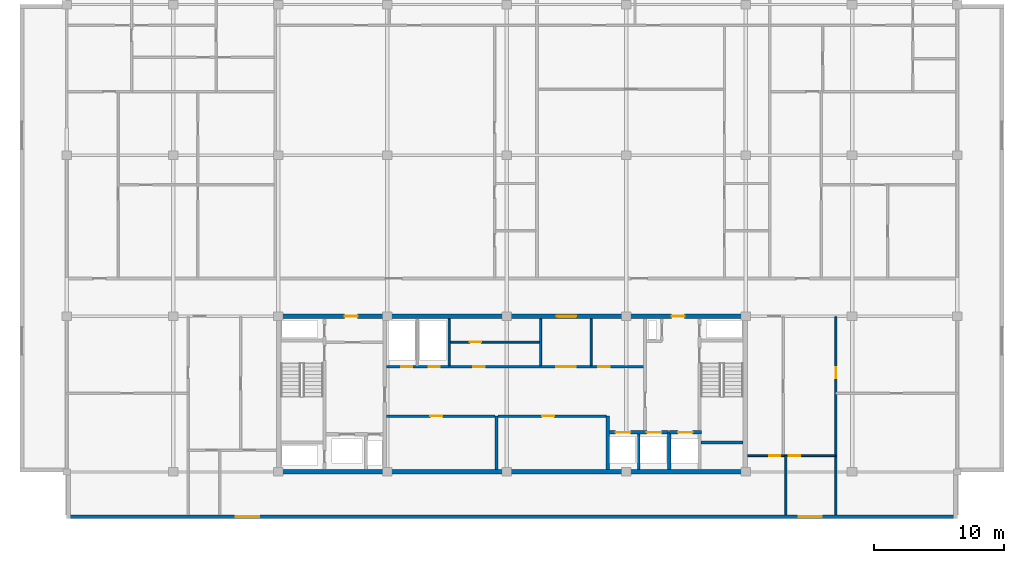
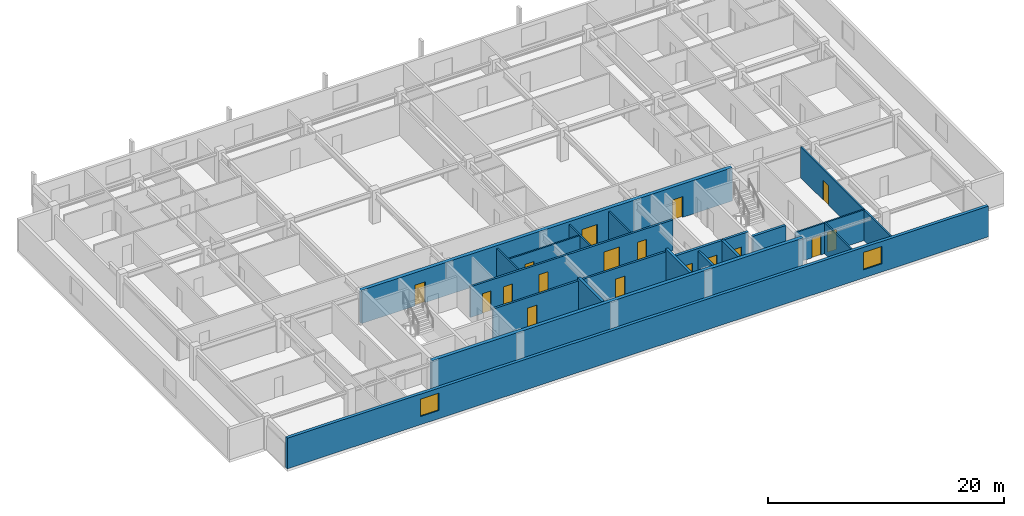
# One storey, part 4 of 10: 20 walls, 17 doors, 2 windows, 19 openings.
"""IFC4 building model written with IfcOpenShell, lengths in metres."""

from ifc_helpers import new_model, si_unit, direction, frame, frame_2d, origin, place, context, subcontext, project, spatial, rectangle, extrude, material, layer, layer_set, type_object, element, fill, save


model = new_model("IFC4")

# Units and contexts
model_context = context("Model", 3, precision=1e-05, world=origin(), true_north=direction((0.0, 1.0)))
body_context = subcontext(model_context, "Body", "Model", "MODEL_VIEW")
ifc_project = project(units=[si_unit("LENGTHUNIT", "METRE"), si_unit("AREAUNIT", "SQUARE_METRE"), si_unit("VOLUMEUNIT", "CUBIC_METRE"), si_unit("PLANEANGLEUNIT", "RADIAN"), si_unit("MASSUNIT", "GRAM", prefix="KILO")], contexts=[model_context])

# Site, building, storey
site_placement = place(None, origin())
site = spatial("IfcSite", under=ifc_project, at=site_placement, CompositionType="ELEMENT")
building_placement = place(site_placement, origin())
building = spatial("IfcBuilding", under=site, at=building_placement, Name="Korimba Cascade Residences", CompositionType="ELEMENT")
storey_placement = place(building_placement, frame((0.0, 0.0, 245.89990234375)))
storey = spatial("IfcBuildingStorey", under=building, at=storey_placement, Name="L71", CompositionType="ELEMENT", Elevation=245.89990234375)

# Wall, openings, windows
ifc_material_1 = material(Name="Precast concrete C40/50", Category="concrete")
ifc_layer_1 = layer(ifc_material_1, 0.300048828125)
ifc_layer_set_1 = layer_set([ifc_layer_1], Name="Precast concrete C40/50")
wall_type_1 = type_object("IfcWallType", Name="EW-STONE-300", PredefinedType="STANDARD", material=ifc_layer_set_1)
wall_1_placement = place(storey_placement, frame((59.800048828125, 51.75, 0.0), z_axis=(0.0, 0.0, 1.0), x_axis=(1.0, 0.0, 0.0)))
wall_1 = element("IfcWall", 1, at=wall_1_placement, inside=storey, type_object=wall_type_1, Name="L71 T1 Perimeter Stone Wall E00", PredefinedType="STANDARD", context=body_context, shape_type="SweptSolid", body=[
    extrude(rectangle(XDim=68.599853515625, YDim=0.300048828125, at=frame_2d((34.2998046875, 0.0))), origin(), (0.0, 0.0, 1.0), 3.170166015625),
])
opening_1_placement = place(wall_1_placement, frame((13.02490234375, 0.0, 0.85009765625)))
opening_1 = element("IfcOpeningElement", 2, at=opening_1_placement, cuts=wall_1, Name="Opening W-02", PredefinedType="OPENING", context=body_context, shape_type="SweptSolid", body=[
    extrude(rectangle(XDim=1.800048828125, YDim=1.800048828125, at=frame_2d((0.89990234375, 0.89990234375))), frame((0.0, 0.16015625, 0.0), z_axis=(0.0, -1.0, 0.0), x_axis=(1.0, 0.0, 0.0)), (0.0, 0.0, 1.0), 0.320068359375),
])
opening_2_placement = place(wall_1_placement, frame((56.375, 0.0, 0.85009765625)))
opening_2 = element("IfcOpeningElement", 3, at=opening_2_placement, cuts=wall_1, Name="Opening W-02", PredefinedType="OPENING", context=body_context, shape_type="SweptSolid", body=[
    extrude(rectangle(XDim=1.800048828125, YDim=1.800048828125, at=frame_2d((0.89990234375, 0.89990234375))), frame((0.0, 0.16015625, 0.0), z_axis=(0.0, -1.0, 0.0), x_axis=(1.0, 0.0, 0.0)), (0.0, 0.0, 1.0), 0.320068359375),
])
ifc_material_2 = material(Name="Double-Glazed Aluminium Window", Category="aluminium")
window_type = type_object("IfcWindowType", Name="WIN-BED-1800", PartitioningType="SINGLE_PANEL", PredefinedType="WINDOW", material=ifc_material_2)
window_1_placement = place(opening_1_placement, origin())
window_1 = element("IfcWindow", 4, at=window_1_placement, inside=storey, type_object=window_type, Name="L71 T1 South Corner Bedroom Window 1", OverallHeight=1.800048828125, OverallWidth=1.800048828125, PartitioningType="SINGLE_PANEL", PredefinedType="WINDOW", context=body_context, shape_type="SweptSolid", body=[
    extrude(rectangle(XDim=1.800048828125, YDim=1.800048828125, at=frame_2d((0.89990234375, 0.89990234375))), frame((0.0, 0.030029296875, 0.0), z_axis=(0.0, -1.0, 0.0), x_axis=(1.0, 0.0, 0.0)), (0.0, 0.0, 1.0), 0.06005859375),
])
fill(opening_1, window_1)
window_2_placement = place(opening_2_placement, origin())
window_2 = element("IfcWindow", 5, at=window_2_placement, inside=storey, type_object=window_type, Name="L71 T1 South Corner Bedroom Window 2", OverallHeight=1.800048828125, OverallWidth=1.800048828125, PartitioningType="SINGLE_PANEL", PredefinedType="WINDOW", context=body_context, shape_type="SweptSolid", body=[
    extrude(rectangle(XDim=1.800048828125, YDim=1.800048828125, at=frame_2d((0.89990234375, 0.89990234375))), frame((0.0, 0.030029296875, 0.0), z_axis=(0.0, -1.0, 0.0), x_axis=(1.0, 0.0, 0.0)), (0.0, 0.0, 1.0), 0.06005859375),
])
fill(opening_2, window_2)

# Wall
ifc_material_3 = material(Name="Concrete C65/80", Category="concrete")
ifc_layer_2 = layer(ifc_material_3, 0.35009765625)
ifc_layer_set_2 = layer_set([ifc_layer_2], Name="Concrete C65/80")
wall_type_2 = type_object("IfcWallType", Name="WAL-CORE-350", PredefinedType="SHEAR", material=ifc_layer_set_2)
wall_2_placement = place(storey_placement, frame((75.949951171875, 55.199951171875, 0.0), z_axis=(0.0, 0.0, 1.0), x_axis=(1.0, 0.0, 0.0)))
element("IfcWall", 6, at=wall_2_placement, inside=storey, type_object=wall_type_2, Name="L71 Core Shear Wall CW-L71-T1-S", PredefinedType="SHEAR", context=body_context, shape_type="SweptSolid", body=[
    extrude(rectangle(XDim=36.300048828125, YDim=0.35009765625, at=frame_2d((18.14990234375, 0.0))), origin(), (0.0, 0.0, 1.0), 3.4501953125),
])

# Wall, openings, doors
wall_3_placement = place(storey_placement, frame((75.949951171875, 67.199951171875, 0.0), z_axis=(0.0, 0.0, 1.0), x_axis=(1.0, 0.0, 0.0)))
wall_3 = element("IfcWall", 7, at=wall_3_placement, inside=storey, type_object=wall_type_2, Name="L71 Core Shear Wall CW-L71-T1-N", PredefinedType="SHEAR", context=body_context, shape_type="SweptSolid", body=[
    extrude(rectangle(XDim=36.300048828125, YDim=0.35009765625, at=frame_2d((18.14990234375, 0.0))), origin(), (0.0, 0.0, 1.0), 3.4501953125),
])
opening_3_placement = place(wall_3_placement, frame((5.25, 0.0, 0.0)))
opening_3 = element("IfcOpeningElement", 8, at=opening_3_placement, cuts=wall_3, Name="Opening D-FD5", PredefinedType="OPENING", context=body_context, shape_type="SweptSolid", body=[
    extrude(rectangle(XDim=1.0, YDim=2.14990234375, at=frame_2d((0.5, 1.074951171875))), frame((0.0, 0.18505859375, 0.0), z_axis=(0.0, -1.0, 0.0), x_axis=(1.0, 0.0, 0.0)), (0.0, 0.0, 1.0), 0.3701171875),
])
opening_4_placement = place(wall_3_placement, frame((21.60009765625, 0.0, 0.0)))
opening_4 = element("IfcOpeningElement", 9, at=opening_4_placement, cuts=wall_3, Name="Opening D-FD8", PredefinedType="OPENING", context=body_context, shape_type="SweptSolid", body=[
    extrude(rectangle(XDim=1.5, YDim=2.199951171875, at=frame_2d((0.75, 1.10009765625))), frame((0.0, 0.18505859375, 0.0), z_axis=(0.0, -1.0, 0.0), x_axis=(1.0, 0.0, 0.0)), (0.0, 0.0, 1.0), 0.3701171875),
])
opening_5_placement = place(wall_3_placement, frame((30.449951171875, 0.0, 0.0)))
opening_5 = element("IfcOpeningElement", 10, at=opening_5_placement, cuts=wall_3, Name="Opening D-FD5", PredefinedType="OPENING", context=body_context, shape_type="SweptSolid", body=[
    extrude(rectangle(XDim=1.0, YDim=2.14990234375, at=frame_2d((0.5, 1.074951171875))), frame((0.0, 0.18505859375, 0.0), z_axis=(0.0, -1.0, 0.0), x_axis=(1.0, 0.0, 0.0)), (0.0, 0.0, 1.0), 0.3701171875),
])
ifc_material_4 = material(Name="Fire-Rated Acoustic Timber Vestibule Door", Category="wood")
door_type_1 = type_object("IfcDoorType", Name="DR-FD90-1000", OperationType="NOTDEFINED", PredefinedType="DOOR", material=ifc_material_4)
door_1_placement = place(opening_3_placement, origin())
door_1 = element("IfcDoor", 11, at=door_1_placement, inside=storey, type_object=door_type_1, Name="L71 T1 West Core Vestibule Fire Door", OperationType="SINGLE_SWING_LEFT", OverallHeight=2.14990234375, OverallWidth=1.0, PredefinedType="DOOR", context=body_context, shape_type="SweptSolid", body=[
    extrude(rectangle(XDim=1.0, YDim=2.14990234375, at=frame_2d((0.5, 1.074951171875))), frame((0.0, 0.02490234375, 0.0), z_axis=(0.0, -1.0, 0.0), x_axis=(1.0, 0.0, 0.0)), (0.0, 0.0, 1.0), 0.050048828125),
])
fill(opening_3, door_1)
door_2_placement = place(opening_5_placement, origin())
door_2 = element("IfcDoor", 12, at=door_2_placement, inside=storey, type_object=door_type_1, Name="L71 T1 East Firefighting Vestibule Fire Door", OperationType="SINGLE_SWING_RIGHT", OverallHeight=2.14990234375, OverallWidth=1.0, PredefinedType="DOOR", context=body_context, shape_type="SweptSolid", body=[
    extrude(rectangle(XDim=1.0, YDim=2.14990234375, at=frame_2d((0.5, 1.074951171875))), frame((0.0, 0.02490234375, 0.0), z_axis=(0.0, -1.0, 0.0), x_axis=(1.0, 0.0, 0.0)), (0.0, 0.0, 1.0), 0.050048828125),
])
fill(opening_5, door_2)
ifc_material_5 = material(Name="Fire-Rated Glazed Lift Lobby Double Door", Category="glass")
door_type_2 = type_object("IfcDoorType", Name="DR-FD90-1500", OperationType="NOTDEFINED", PredefinedType="DOOR", material=ifc_material_5)
door_3_placement = place(opening_4_placement, origin())
door_3 = element("IfcDoor", 13, at=door_3_placement, inside=storey, type_object=door_type_2, Name="L71 T1 Lift Lobby Fire Door", OperationType="DOUBLE_DOOR_SINGLE_SWING", OverallHeight=2.199951171875, OverallWidth=1.5, PredefinedType="DOOR", context=body_context, shape_type="SweptSolid", body=[
    extrude(rectangle(XDim=1.5, YDim=2.199951171875, at=frame_2d((0.75, 1.10009765625))), frame((0.0, 0.02490234375, 0.0), z_axis=(0.0, -1.0, 0.0), x_axis=(1.0, 0.0, 0.0)), (0.0, 0.0, 1.0), 0.050048828125),
])
fill(opening_4, door_3)

# Wall
ifc_material_6 = material(Name="Insulated Acoustic Stud Partition", Category="gypsum")
ifc_layer_3 = layer(ifc_material_6, 0.14990234375)
ifc_layer_set_3 = layer_set([ifc_layer_3], Name="Insulated Acoustic Stud Partition")
wall_type_3 = type_object("IfcWallType", Name="WAL-PART-150", PredefinedType="PARTITIONING", material=ifc_layer_set_3)
wall_4_placement = place(storey_placement, frame((89.25, 63.39990234375, 0.0), z_axis=(0.0, 0.0, 1.0), x_axis=(0.0, 1.0, 0.0)))
element("IfcWall", 14, at=wall_4_placement, inside=storey, type_object=wall_type_3, Name="L71 Partition Wall CW-L71-T1-PRDIV", PredefinedType="PARTITIONING", context=body_context, shape_type="SweptSolid", body=[
    extrude(rectangle(XDim=3.60009765625, YDim=0.14990234375, at=frame_2d((1.800048828125, 0.0))), origin(), (0.0, 0.0, 1.0), 3.170166015625),
])

# Wall, opening, door
wall_5_placement = place(storey_placement, frame((89.25, 65.199951171875, 0.0), z_axis=(0.0, 0.0, 1.0), x_axis=(1.0, 0.0, 0.0)))
wall_5 = element("IfcWall", 15, at=wall_5_placement, inside=storey, type_object=wall_type_3, Name="L71 Partition Wall CW-L71-T1-CA2HZ", PredefinedType="PARTITIONING", context=body_context, shape_type="SweptSolid", body=[
    extrude(rectangle(XDim=7.050048828125, YDim=0.14990234375, at=frame_2d((3.52490234375, 0.0))), origin(), (0.0, 0.0, 1.0), 3.170166015625),
])
opening_6_placement = place(wall_5_placement, frame((1.60009765625, 0.0, 0.0)))
opening_6 = element("IfcOpeningElement", 16, at=opening_6_placement, cuts=wall_5, Name="Opening D-IN2", PredefinedType="OPENING", context=body_context, shape_type="SweptSolid", body=[
    extrude(rectangle(XDim=0.8798828125, YDim=2.06005859375, at=frame_2d((0.43994140625, 1.030029296875))), frame((0.0, 0.0849609375, 0.0), z_axis=(0.0, -1.0, 0.0), x_axis=(1.0, 0.0, 0.0)), (0.0, 0.0, 1.0), 0.169921875),
])
ifc_material_7 = material(Name="Acoustic Timber Bedroom Door", Category="wood")
door_type_3 = type_object("IfcDoorType", Name="DR-INT-880", OperationType="NOTDEFINED", PredefinedType="DOOR", material=ifc_material_7)
door_4_placement = place(opening_6_placement, origin())
door_4 = element("IfcDoor", 17, at=door_4_placement, inside=storey, type_object=door_type_3, Name="L71 Pram Store Door", OperationType="SINGLE_SWING_LEFT", OverallHeight=2.06005859375, OverallWidth=0.8798828125, PredefinedType="DOOR", context=body_context, shape_type="SweptSolid", body=[
    extrude(rectangle(XDim=0.8798828125, YDim=2.06005859375, at=frame_2d((0.43994140625, 1.030029296875))), frame((0.0, 0.02490234375, 0.0), z_axis=(0.0, -1.0, 0.0), x_axis=(1.0, 0.0, 0.0)), (0.0, 0.0, 1.0), 0.050048828125),
])
fill(opening_6, door_4)

# Walls
for number, where, z_axis, x_axis, name in (
    (18, (96.300048828125, 63.39990234375, 0.0), (0.0, 0.0, 1.0), (0.0, 1.0, 0.0), "L71 Partition Wall CW-L71-T1-THW"),
    (19, (100.199951171875, 63.39990234375, 0.0), (0.0, 0.0, 1.0), (0.0, 1.0, 0.0), "L71 Partition Wall CW-L71-T1-THE"),
):
    element("IfcWall", number, at=place(storey_placement, frame(where, z_axis=z_axis, x_axis=x_axis)), inside=storey, type_object=wall_type_3, Name=name, PredefinedType="PARTITIONING", context=body_context, shape_type="SweptSolid", body=[
        extrude(rectangle(XDim=3.60009765625, YDim=0.14990234375, at=frame_2d((1.800048828125, 0.0))), origin(), (0.0, 0.0, 1.0), 3.170166015625),
    ])

# Wall, opening, door
wall_6_placement = place(storey_placement, frame((119.050048828125, 51.89990234375, 0.0), z_axis=(0.0, 0.0, 1.0), x_axis=(0.0, 1.0, 0.0)))
wall_6 = element("IfcWall", 20, at=wall_6_placement, inside=storey, type_object=wall_type_3, Name="L71 Partition Wall WAL-L71-T1-FE-STV", PredefinedType="PARTITIONING", context=body_context, shape_type="SweptSolid", body=[
    extrude(rectangle(XDim=15.25, YDim=0.14990234375, at=frame_2d((7.625, 0.0))), origin(), (0.0, 0.0, 1.0), 3.170166015625),
])
opening_7_placement = place(wall_6_placement, frame((10.5, 0.0, 0.0)))
opening_7 = element("IfcOpeningElement", 21, at=opening_7_placement, cuts=wall_6, Name="Opening D-IN2", PredefinedType="OPENING", context=body_context, shape_type="SweptSolid", body=[
    extrude(rectangle(XDim=0.8798828125, YDim=2.06005859375, at=frame_2d((0.43994140625, 1.030029296875))), frame((0.0, 0.0849609375, 0.0), z_axis=(0.0, -1.0, 0.0), x_axis=(1.0, 0.0, 0.0)), (0.0, 0.0, 1.0), 0.169921875),
])
door_5_placement = place(opening_7_placement, origin())
door_5 = element("IfcDoor", 22, at=door_5_placement, inside=storey, type_object=door_type_3, Name="L71-T1-FE Study Door", OperationType="SINGLE_SWING_LEFT", OverallHeight=2.06005859375, OverallWidth=0.8798828125, PredefinedType="DOOR", context=body_context, shape_type="SweptSolid", body=[
    extrude(rectangle(XDim=0.8798828125, YDim=2.06005859375, at=frame_2d((0.43994140625, 1.030029296875))), frame((0.0, 0.02490234375, 0.0), z_axis=(0.0, -1.0, 0.0), x_axis=(1.0, 0.0, 0.0)), (0.0, 0.0, 1.0), 0.050048828125),
])
fill(opening_7, door_5)

# Wall
wall_7_placement = place(storey_placement, frame((115.199951171875, 51.89990234375, 0.0), z_axis=(0.0, 0.0, 1.0), x_axis=(0.0, 1.0, 0.0)))
element("IfcWall", 23, at=wall_7_placement, inside=storey, type_object=wall_type_3, Name="L71 Partition Wall WAL-L71-T1-FE-VS", PredefinedType="PARTITIONING", context=body_context, shape_type="SweptSolid", body=[
    extrude(rectangle(XDim=4.550048828125, YDim=0.14990234375, at=frame_2d((2.27490234375, 0.0))), origin(), (0.0, 0.0, 1.0), 3.170166015625),
])

# Wall, openings, doors
wall_8_placement = place(storey_placement, frame((112.27001953125, 56.449951171875, 0.0), z_axis=(0.0, 0.0, 1.0), x_axis=(1.0, 0.0, 0.0)))
wall_8 = element("IfcWall", 24, at=wall_8_placement, inside=storey, type_object=wall_type_3, Name="L71 Partition Wall WAL-L71-T1-FE-H", PredefinedType="PARTITIONING", context=body_context, shape_type="SweptSolid", body=[
    extrude(rectangle(XDim=6.760009765625, YDim=0.14990234375, at=frame_2d((3.3798828125, 0.0))), origin(), (0.0, 0.0, 1.0), 3.170166015625),
])
opening_8_placement = place(wall_8_placement, frame((1.6396484375, 0.0, 0.0)))
opening_8 = element("IfcOpeningElement", 25, at=opening_8_placement, cuts=wall_8, Name="Opening D-BT1", PredefinedType="OPENING", context=body_context, shape_type="SweptSolid", body=[
    extrude(rectangle(XDim=0.840087890625, YDim=2.0400390625, at=frame_2d((0.419921875, 1.02001953125))), frame((0.0, 0.0849609375, 0.0), z_axis=(0.0, -1.0, 0.0), x_axis=(1.0, 0.0, 0.0)), (0.0, 0.0, 1.0), 0.169921875),
])
opening_9_placement = place(wall_8_placement, frame((3.160400390625, 0.0, 0.0)))
opening_9 = element("IfcOpeningElement", 26, at=opening_9_placement, cuts=wall_8, Name="Opening D-IN2", PredefinedType="OPENING", context=body_context, shape_type="SweptSolid", body=[
    extrude(rectangle(XDim=0.8798828125, YDim=2.06005859375, at=frame_2d((0.43994140625, 1.030029296875))), frame((0.0, 0.0849609375, 0.0), z_axis=(0.0, -1.0, 0.0), x_axis=(1.0, 0.0, 0.0)), (0.0, 0.0, 1.0), 0.169921875),
])
ifc_material_8 = material(Name="Moisture-Resistant Bathroom Timber Door", Category="wood")
door_type_4 = type_object("IfcDoorType", Name="DR-INT-850", OperationType="NOTDEFINED", PredefinedType="DOOR", material=ifc_material_8)
door_6_placement = place(opening_8_placement, origin())
door_6 = element("IfcDoor", 27, at=door_6_placement, inside=storey, type_object=door_type_4, Name="L71-T1-FE Bathroom Door", OperationType="SINGLE_SWING_LEFT", OverallHeight=2.0400390625, OverallWidth=0.840087890625, PredefinedType="DOOR", context=body_context, shape_type="SweptSolid", body=[
    extrude(rectangle(XDim=0.840087890625, YDim=2.0400390625, at=frame_2d((0.419921875, 1.02001953125))), frame((0.0, 0.02490234375, 0.0), z_axis=(0.0, -1.0, 0.0), x_axis=(1.0, 0.0, 0.0)), (0.0, 0.0, 1.0), 0.050048828125),
])
fill(opening_8, door_6)
door_7_placement = place(opening_9_placement, origin())
door_7 = element("IfcDoor", 28, at=door_7_placement, inside=storey, type_object=door_type_3, Name="L71-T1-FE Bedroom Door", OperationType="SINGLE_SWING_RIGHT", OverallHeight=2.06005859375, OverallWidth=0.8798828125, PredefinedType="DOOR", context=body_context, shape_type="SweptSolid", body=[
    extrude(rectangle(XDim=0.8798828125, YDim=2.06005859375, at=frame_2d((0.43994140625, 1.030029296875))), frame((0.0, 0.02490234375, 0.0), z_axis=(0.0, -1.0, 0.0), x_axis=(1.0, 0.0, 0.0)), (0.0, 0.0, 1.0), 0.050048828125),
])
fill(opening_9, door_7)

# Wall, opening, door
ifc_material_9 = material(Name="Concrete C40/50", Category="concrete")
ifc_layer_4 = layer(ifc_material_9, 0.199951171875)
ifc_layer_set_4 = layer_set([ifc_layer_4], Name="Concrete C40/50")
wall_type_4 = type_object("IfcWallType", Name="WAL-PART-200", PredefinedType="PARTITIONING", material=ifc_layer_set_4)
wall_9_placement = place(storey_placement, frame((84.419921875, 59.5, 0.0), z_axis=(0.0, 0.0, 1.0), x_axis=(1.0, 0.0, 0.0)))
wall_9 = element("IfcWall", 29, at=wall_9_placement, inside=storey, type_object=wall_type_4, Name="L71 Partition Wall CW-L71-T1-B1RN", PredefinedType="PARTITIONING", context=body_context, shape_type="SweptSolid", body=[
    extrude(rectangle(XDim=8.360107421875, YDim=0.199951171875, at=frame_2d((4.18017578125, 0.0))), origin(), (0.0, 0.0, 1.0), 3.170166015625),
])
opening_10_placement = place(wall_9_placement, frame((3.39990234375, 0.0, 0.0)))
opening_10 = element("IfcOpeningElement", 30, at=opening_10_placement, cuts=wall_9, Name="Opening D-ST1", PredefinedType="OPENING", context=body_context, shape_type="SweptSolid", body=[
    extrude(rectangle(XDim=0.919921875, YDim=2.080078125, at=frame_2d((0.4599609375, 1.0400390625))), frame((0.0, 0.10986328125, 0.0), z_axis=(0.0, -1.0, 0.0), x_axis=(1.0, 0.0, 0.0)), (0.0, 0.0, 1.0), 0.219970703125),
])
ifc_material_10 = material(Name="Fire-Rated Core Store Door", Category="wood")
door_type_5 = type_object("IfcDoorType", Name="DR-FD60-920", OperationType="NOTDEFINED", PredefinedType="DOOR", material=ifc_material_10)
door_8_placement = place(opening_10_placement, origin())
door_8 = element("IfcDoor", 31, at=door_8_placement, inside=storey, type_object=door_type_5, Name="L71 Resident Storage Door", OperationType="SINGLE_SWING_LEFT", OverallHeight=2.080078125, OverallWidth=0.919921875, PredefinedType="DOOR", context=body_context, shape_type="SweptSolid", body=[
    extrude(rectangle(XDim=0.919921875, YDim=2.080078125, at=frame_2d((0.4599609375, 1.0400390625))), frame((0.0, 0.02490234375, 0.0), z_axis=(0.0, -1.0, 0.0), x_axis=(1.0, 0.0, 0.0)), (0.0, 0.0, 1.0), 0.050048828125),
])
fill(opening_10, door_8)

wall_10_placement = place(storey_placement, frame((93.02001953125, 59.5, 0.0), z_axis=(0.0, 0.0, 1.0), x_axis=(1.0, 0.0, 0.0)))
wall_10 = element("IfcWall", 32, at=wall_10_placement, inside=storey, type_object=wall_type_4, Name="L71 Partition Wall CW-L71-T1-B2RN", PredefinedType="PARTITIONING", context=body_context, shape_type="SweptSolid", body=[
    extrude(rectangle(XDim=8.35986328125, YDim=0.199951171875, at=frame_2d((4.179931640625, 0.0))), origin(), (0.0, 0.0, 1.0), 3.170166015625),
])
opening_11_placement = place(wall_10_placement, frame((3.39990234375, 0.0, 0.0)))
opening_11 = element("IfcOpeningElement", 33, at=opening_11_placement, cuts=wall_10, Name="Opening D-ST1", PredefinedType="OPENING", context=body_context, shape_type="SweptSolid", body=[
    extrude(rectangle(XDim=0.919921875, YDim=2.080078125, at=frame_2d((0.4599609375, 1.0400390625))), frame((0.0, 0.10986328125, 0.0), z_axis=(0.0, -1.0, 0.0), x_axis=(1.0, 0.0, 0.0)), (0.0, 0.0, 1.0), 0.219970703125),
])
door_9_placement = place(opening_11_placement, origin())
door_9 = element("IfcDoor", 34, at=door_9_placement, inside=storey, type_object=door_type_5, Name="L71 Wine Cellar Store Door", OperationType="SINGLE_SWING_RIGHT", OverallHeight=2.080078125, OverallWidth=0.919921875, PredefinedType="DOOR", context=body_context, shape_type="SweptSolid", body=[
    extrude(rectangle(XDim=0.919921875, YDim=2.080078125, at=frame_2d((0.4599609375, 1.0400390625))), frame((0.0, 0.02490234375, 0.0), z_axis=(0.0, -1.0, 0.0), x_axis=(1.0, 0.0, 0.0)), (0.0, 0.0, 1.0), 0.050048828125),
])
fill(opening_11, door_9)

# Wall
wall_11_placement = place(storey_placement, frame((103.85009765625, 55.39990234375, 0.0), z_axis=(0.0, 0.0, 1.0), x_axis=(0.0, 1.0, 0.0)))
element("IfcWall", 35, at=wall_11_placement, inside=storey, type_object=wall_type_4, Name="L71 Partition Wall CW-L71-T1-B3D1", PredefinedType="PARTITIONING", context=body_context, shape_type="SweptSolid", body=[
    extrude(rectangle(XDim=2.72021484375, YDim=0.199951171875, at=frame_2d((1.360107421875, 0.0))), origin(), (0.0, 0.0, 1.0), 3.170166015625),
])

# Wall, openings, doors
wall_12_placement = place(storey_placement, frame((84.419921875, 63.300048828125, 0.0), z_axis=(0.0, 0.0, 1.0), x_axis=(1.0, 0.0, 0.0)))
wall_12 = element("IfcWall", 36, at=wall_12_placement, inside=storey, type_object=wall_type_4, Name="L71 Partition Wall CW-L71-T1-SRVROW", PredefinedType="PARTITIONING", context=body_context, shape_type="SweptSolid", body=[
    extrude(rectangle(XDim=19.830078125, YDim=0.199951171875, at=frame_2d((9.9150390625, 0.0))), origin(), (0.0, 0.0, 1.0), 3.170166015625),
])
opening_12_placement = place(wall_12_placement, frame((1.14990234375, 0.0, 0.0)))
opening_12 = element("IfcOpeningElement", 37, at=opening_12_placement, cuts=wall_12, Name="Opening D-RS1", PredefinedType="OPENING", context=body_context, shape_type="SweptSolid", body=[
    extrude(rectangle(XDim=0.85009765625, YDim=2.050048828125, at=frame_2d((0.425048828125, 1.02490234375))), frame((0.0, 0.10986328125, 0.0), z_axis=(0.0, -1.0, 0.0), x_axis=(1.0, 0.0, 0.0)), (0.0, 0.0, 1.0), 0.219970703125),
])
opening_13_placement = place(wall_12_placement, frame((3.25, 0.0, 0.0)))
opening_13 = element("IfcOpeningElement", 38, at=opening_13_placement, cuts=wall_12, Name="Opening D-RS1", PredefinedType="OPENING", context=body_context, shape_type="SweptSolid", body=[
    extrude(rectangle(XDim=0.85009765625, YDim=2.050048828125, at=frame_2d((0.425048828125, 1.02490234375))), frame((0.0, 0.10986328125, 0.0), z_axis=(0.0, -1.0, 0.0), x_axis=(1.0, 0.0, 0.0)), (0.0, 0.0, 1.0), 0.219970703125),
])
opening_14_placement = place(wall_12_placement, frame((13.080078125, 0.0, 0.0)))
opening_14 = element("IfcOpeningElement", 39, at=opening_14_placement, cuts=wall_12, Name="Opening D-FD8", PredefinedType="OPENING", context=body_context, shape_type="SweptSolid", body=[
    extrude(rectangle(XDim=1.5, YDim=2.199951171875, at=frame_2d((0.75, 1.10009765625))), frame((0.0, 0.10986328125, 0.0), z_axis=(0.0, -1.0, 0.0), x_axis=(1.0, 0.0, 0.0)), (0.0, 0.0, 1.0), 0.219970703125),
])
opening_15_placement = place(wall_12_placement, frame((6.679931640625, 0.0, 0.0)))
opening_15 = element("IfcOpeningElement", 40, at=opening_15_placement, cuts=wall_12, Name="Opening D-IN1", PredefinedType="OPENING", context=body_context, shape_type="SweptSolid", body=[
    extrude(rectangle(XDim=0.919921875, YDim=2.080078125, at=frame_2d((0.4599609375, 1.0400390625))), frame((0.0, 0.10986328125, 0.0), z_axis=(0.0, -1.0, 0.0), x_axis=(1.0, 0.0, 0.0)), (0.0, 0.0, 1.0), 0.219970703125),
])
opening_16_placement = place(wall_12_placement, frame((16.330078125, 0.0, 0.0)))
opening_16 = element("IfcOpeningElement", 41, at=opening_16_placement, cuts=wall_12, Name="Opening D-IN2", PredefinedType="OPENING", context=body_context, shape_type="SweptSolid", body=[
    extrude(rectangle(XDim=0.8798828125, YDim=2.06005859375, at=frame_2d((0.43994140625, 1.030029296875))), frame((0.0, 0.10986328125, 0.0), z_axis=(0.0, -1.0, 0.0), x_axis=(1.0, 0.0, 0.0)), (0.0, 0.0, 1.0), 0.219970703125),
])
ifc_material_11 = material(Name="Fire-Rated Steel Riser Access Door", Category="steel")
door_type_6 = type_object("IfcDoorType", Name="DR-FD60-850", OperationType="NOTDEFINED", PredefinedType="DOOR", material=ifc_material_11)
door_10_placement = place(opening_12_placement, origin())
door_10 = element("IfcDoor", 42, at=door_10_placement, inside=storey, type_object=door_type_6, Name="L71 Electrical Riser Door", OperationType="SINGLE_SWING_RIGHT", OverallHeight=2.050048828125, OverallWidth=0.85009765625, PredefinedType="DOOR", context=body_context, shape_type="SweptSolid", body=[
    extrude(rectangle(XDim=0.85009765625, YDim=2.050048828125, at=frame_2d((0.425048828125, 1.02490234375))), frame((0.0, 0.02490234375, 0.0), z_axis=(0.0, -1.0, 0.0), x_axis=(1.0, 0.0, 0.0)), (0.0, 0.0, 1.0), 0.050048828125),
])
fill(opening_12, door_10)
door_11_placement = place(opening_13_placement, origin())
door_11 = element("IfcDoor", 43, at=door_11_placement, inside=storey, type_object=door_type_6, Name="L71 Plumbing Riser Door", OperationType="SINGLE_SWING_LEFT", OverallHeight=2.050048828125, OverallWidth=0.85009765625, PredefinedType="DOOR", context=body_context, shape_type="SweptSolid", body=[
    extrude(rectangle(XDim=0.85009765625, YDim=2.050048828125, at=frame_2d((0.425048828125, 1.02490234375))), frame((0.0, 0.02490234375, 0.0), z_axis=(0.0, -1.0, 0.0), x_axis=(1.0, 0.0, 0.0)), (0.0, 0.0, 1.0), 0.050048828125),
])
fill(opening_13, door_11)
door_12_placement = place(opening_14_placement, origin())
door_12 = element("IfcDoor", 44, at=door_12_placement, inside=storey, type_object=door_type_2, Name="L71 Lift Lobby Foyer Archway Door", OperationType="DOUBLE_DOOR_SINGLE_SWING", OverallHeight=2.199951171875, OverallWidth=1.5, PredefinedType="DOOR", context=body_context, shape_type="SweptSolid", body=[
    extrude(rectangle(XDim=1.5, YDim=2.199951171875, at=frame_2d((0.75, 1.10009765625))), frame((0.0, 0.02490234375, 0.0), z_axis=(0.0, -1.0, 0.0), x_axis=(1.0, 0.0, 0.0)), (0.0, 0.0, 1.0), 0.050048828125),
])
fill(opening_14, door_12)
door_13_placement = place(opening_16_placement, origin())
door_13 = element("IfcDoor", 45, at=door_13_placement, inside=storey, type_object=door_type_3, Name="L71 Staff WC Door", OperationType="SINGLE_SWING_LEFT", OverallHeight=2.06005859375, OverallWidth=0.8798828125, PredefinedType="DOOR", context=body_context, shape_type="SweptSolid", body=[
    extrude(rectangle(XDim=0.8798828125, YDim=2.06005859375, at=frame_2d((0.43994140625, 1.030029296875))), frame((0.0, 0.02490234375, 0.0), z_axis=(0.0, -1.0, 0.0), x_axis=(1.0, 0.0, 0.0)), (0.0, 0.0, 1.0), 0.050048828125),
])
fill(opening_16, door_13)
ifc_material_12 = material(Name="Acoustic Timber Living Door", Category="wood")
door_type_7 = type_object("IfcDoorType", Name="DR-INT-920", OperationType="NOTDEFINED", PredefinedType="DOOR", material=ifc_material_12)
door_14_placement = place(opening_15_placement, origin())
door_14 = element("IfcDoor", 46, at=door_14_placement, inside=storey, type_object=door_type_7, Name="L71 Locker Room Door", OperationType="SINGLE_SWING_RIGHT", OverallHeight=2.080078125, OverallWidth=0.919921875, PredefinedType="DOOR", context=body_context, shape_type="SweptSolid", body=[
    extrude(rectangle(XDim=0.919921875, YDim=2.080078125, at=frame_2d((0.4599609375, 1.0400390625))), frame((0.0, 0.02490234375, 0.0), z_axis=(0.0, -1.0, 0.0), x_axis=(1.0, 0.0, 0.0)), (0.0, 0.0, 1.0), 0.050048828125),
])
fill(opening_15, door_14)

# Walls
ifc_material_13 = material(Name="Concrete C50/60", Category="concrete")
ifc_layer_5 = layer(ifc_material_13, 0.25)
ifc_layer_set_5 = layer_set([ifc_layer_5], Name="Concrete C50/60")
wall_type_5 = type_object("IfcWallType", Name="WAL-SHAFT-250", PredefinedType="SHEAR", material=ifc_layer_set_5)
for number, where, z_axis, x_axis, name in (
    (47, (92.89990234375, 55.39990234375, 0.0), (0.0, 0.0, 1.0), (0.0, 1.0, 0.0), "L71 Core Shear Wall CW-L71-T1-B12DIV"),
    (48, (101.47998046875, 55.39990234375, 0.0), (0.0, 0.0, 1.0), (0.0, 1.0, 0.0), "L71 Core Shear Wall CW-L71-T1-B23DIV"),
):
    element("IfcWall", number, at=place(storey_placement, frame(where, z_axis=z_axis, x_axis=x_axis)), inside=storey, type_object=wall_type_5, Name=name, PredefinedType="SHEAR", context=body_context, shape_type="SweptSolid", body=[
        extrude(rectangle(XDim=4.10009765625, YDim=0.25, at=frame_2d((2.050048828125, 0.0))), origin(), (0.0, 0.0, 1.0), 3.4501953125),
    ])

# Wall, openings, doors
wall_13_placement = place(storey_placement, frame((101.550048828125, 58.25, 0.0), z_axis=(0.0, 0.0, 1.0), x_axis=(1.0, 0.0, 0.0)))
wall_13 = element("IfcWall", 49, at=wall_13_placement, inside=storey, type_object=wall_type_5, Name="L71 Core Shear Wall CW-L71-T1-B3N", PredefinedType="SHEAR", context=body_context, shape_type="SweptSolid", body=[
    extrude(rectangle(XDim=4.599853515625, YDim=0.25, at=frame_2d((2.2998046875, 0.0))), origin(), (0.0, 0.0, 1.0), 3.4501953125),
])
opening_17_placement = place(wall_13_placement, frame((0.5400390625, 0.0, 0.0)))
opening_17 = element("IfcOpeningElement", 50, at=opening_17_placement, cuts=wall_13, Name="Opening LD-01", PredefinedType="OPENING", context=body_context, shape_type="SweptSolid", body=[
    extrude(rectangle(XDim=1.1201171875, YDim=2.1201171875, at=frame_2d((0.56005859375, 1.06005859375))), frame((0.0, 0.135009765625, 0.0), z_axis=(0.0, -1.0, 0.0), x_axis=(1.0, 0.0, 0.0)), (0.0, 0.0, 1.0), 0.27001953125),
])
opening_18_placement = place(wall_13_placement, frame((2.93994140625, 0.0, 0.0)))
opening_18 = element("IfcOpeningElement", 51, at=opening_18_placement, cuts=wall_13, Name="Opening LD-01", PredefinedType="OPENING", context=body_context, shape_type="SweptSolid", body=[
    extrude(rectangle(XDim=1.1201171875, YDim=2.1201171875, at=frame_2d((0.56005859375, 1.06005859375))), frame((0.0, 0.135009765625, 0.0), z_axis=(0.0, -1.0, 0.0), x_axis=(1.0, 0.0, 0.0)), (0.0, 0.0, 1.0), 0.27001953125),
])
ifc_material_14 = material(Name="Stainless Steel Lift Landing Sliding Door", Category="steel")
door_type_8 = type_object("IfcDoorType", Name="DR-LIFT-1100", OperationType="NOTDEFINED", PredefinedType="DOOR", material=ifc_material_14)
door_15_placement = place(opening_17_placement, origin())
door_15 = element("IfcDoor", 52, at=door_15_placement, inside=storey, type_object=door_type_8, Name="L71 Lift Landing Door PL-W7", OperationType="SLIDING_TO_LEFT", OverallHeight=2.1201171875, OverallWidth=1.1201171875, PredefinedType="DOOR", context=body_context, shape_type="SweptSolid", body=[
    extrude(rectangle(XDim=1.1201171875, YDim=2.1201171875, at=frame_2d((0.56005859375, 1.06005859375))), frame((0.0, 0.02490234375, 0.0), z_axis=(0.0, -1.0, 0.0), x_axis=(1.0, 0.0, 0.0)), (0.0, 0.0, 1.0), 0.050048828125),
])
fill(opening_17, door_15)
door_16_placement = place(opening_18_placement, origin())
door_16 = element("IfcDoor", 53, at=door_16_placement, inside=storey, type_object=door_type_8, Name="L71 Lift Landing Door PL-W8", OperationType="SLIDING_TO_LEFT", OverallHeight=2.1201171875, OverallWidth=1.1201171875, PredefinedType="DOOR", context=body_context, shape_type="SweptSolid", body=[
    extrude(rectangle(XDim=1.1201171875, YDim=2.1201171875, at=frame_2d((0.56005859375, 1.06005859375))), frame((0.0, 0.02490234375, 0.0), z_axis=(0.0, -1.0, 0.0), x_axis=(1.0, 0.0, 0.0)), (0.0, 0.0, 1.0), 0.050048828125),
])
fill(opening_18, door_16)

# Wall
wall_14_placement = place(storey_placement, frame((106.219970703125, 55.39990234375, 0.0), z_axis=(0.0, 0.0, 1.0), x_axis=(0.0, 1.0, 0.0)))
element("IfcWall", 54, at=wall_14_placement, inside=storey, type_object=wall_type_5, Name="L71 Core Shear Wall CW-L71-T1-FF2W", PredefinedType="SHEAR", context=body_context, shape_type="SweptSolid", body=[
    extrude(rectangle(XDim=2.85009765625, YDim=0.25, at=frame_2d((1.425048828125, 0.0))), origin(), (0.0, 0.0, 1.0), 3.4501953125),
])

# Wall, opening, door
wall_15_placement = place(storey_placement, frame((106.219970703125, 58.25, 0.0), z_axis=(0.0, 0.0, 1.0), x_axis=(1.0, 0.0, 0.0)))
wall_15 = element("IfcWall", 55, at=wall_15_placement, inside=storey, type_object=wall_type_5, Name="L71 Core Shear Wall CW-L71-T1-FF2N", PredefinedType="SHEAR", context=body_context, shape_type="SweptSolid", body=[
    extrude(rectangle(XDim=2.4599609375, YDim=0.25, at=frame_2d((1.22998046875, 0.0))), origin(), (0.0, 0.0, 1.0), 3.4501953125),
])
opening_19_placement = place(wall_15_placement, frame((0.669921875, 0.0, 0.0)))
opening_19 = element("IfcOpeningElement", 56, at=opening_19_placement, cuts=wall_15, Name="Opening LD-01", PredefinedType="OPENING", context=body_context, shape_type="SweptSolid", body=[
    extrude(rectangle(XDim=1.1201171875, YDim=2.1201171875, at=frame_2d((0.56005859375, 1.06005859375))), frame((0.0, 0.135009765625, 0.0), z_axis=(0.0, -1.0, 0.0), x_axis=(1.0, 0.0, 0.0)), (0.0, 0.0, 1.0), 0.27001953125),
])
door_17_placement = place(opening_19_placement, origin())
door_17 = element("IfcDoor", 57, at=door_17_placement, inside=storey, type_object=door_type_8, Name="L71 Firefighting Lift Landing Door FFL-W2", OperationType="SLIDING_TO_RIGHT", OverallHeight=2.1201171875, OverallWidth=1.1201171875, PredefinedType="DOOR", context=body_context, shape_type="SweptSolid", body=[
    extrude(rectangle(XDim=1.1201171875, YDim=2.1201171875, at=frame_2d((0.56005859375, 1.06005859375))), frame((0.0, 0.02490234375, 0.0), z_axis=(0.0, -1.0, 0.0), x_axis=(1.0, 0.0, 0.0)), (0.0, 0.0, 1.0), 0.050048828125),
])
fill(opening_19, door_17)

# Wall
wall_16_placement = place(storey_placement, frame((108.659912109375, 57.47509765625, 0.0), z_axis=(0.0, 0.0, 1.0), x_axis=(1.0, 0.0, 0.0)))
element("IfcWall", 58, at=wall_16_placement, inside=storey, type_object=wall_type_5, Name="L71 Core Shear Wall CW-L71-T1-STW2S", PredefinedType="SHEAR", context=body_context, shape_type="SweptSolid", body=[
    extrude(rectangle(XDim=3.239990234375, YDim=0.25, at=frame_2d((1.6201171875, 0.0))), origin(), (0.0, 0.0, 1.0), 3.4501953125),
])

save(model, "model.ifc")
